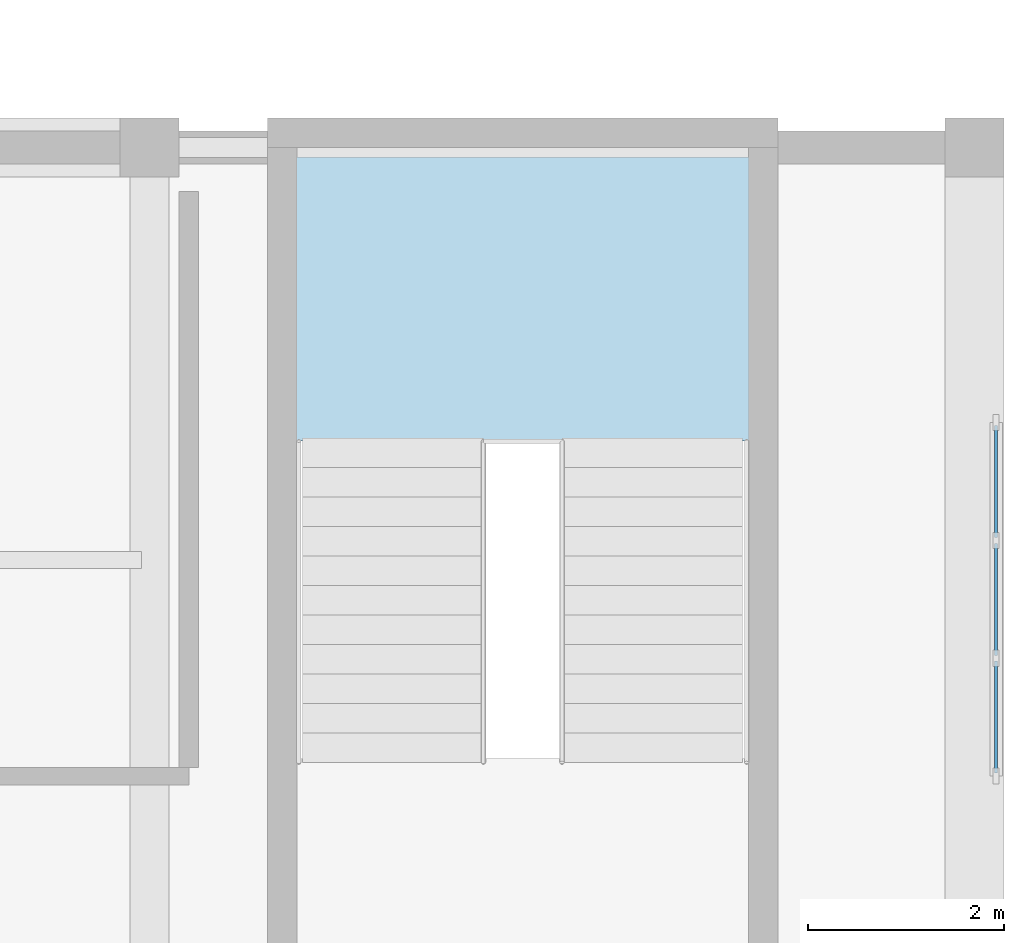
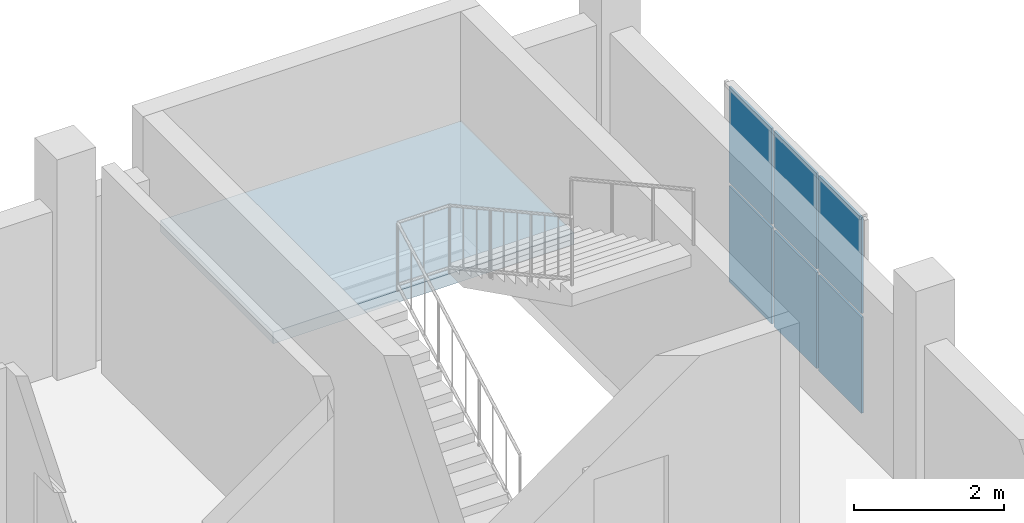
# One storey, part 10 of 24: 6 plates, 1 slab, 2 elements without a shape of their own.
"""IFC4 building model written with IfcOpenShell, lengths in metres."""

from ifc_helpers import new_model, si_unit, derived_unit, direction, frame, origin, origin_2d, place, context, subcontext, project, spatial, polyline, rectangle, outline, extrude, material, layer, layer_set, type_object, element, aggregate, save


model = new_model("IFC4")

# Units and contexts
model_context = context("Model", 3, precision=1e-05, world=origin(), true_north=direction((0.0, 1.0)))
body_context = subcontext(model_context, "Body", "Model", "MODEL_VIEW")
ifc_project = project(units=[si_unit("LENGTHUNIT", "METRE"), si_unit("AREAUNIT", "SQUARE_METRE"), si_unit("VOLUMEUNIT", "CUBIC_METRE"), si_unit("PLANEANGLEUNIT", "RADIAN"), si_unit("MASSUNIT", "GRAM", prefix="KILO"), derived_unit("THERMALTRANSMITTANCEUNIT", [(si_unit("POWERUNIT", "WATT"), 1), (si_unit("LENGTHUNIT", "METRE"), -2), (si_unit("THERMODYNAMICTEMPERATUREUNIT", "KELVIN"), -1)])], contexts=[model_context])

# Site, building, storey
site_placement = place(None, origin())
site = spatial("IfcSite", under=ifc_project, at=site_placement, CompositionType="ELEMENT")
building_placement = place(site_placement, origin())
building = spatial("IfcBuilding", under=site, at=building_placement, Name="Barrovel Congress Hotel", CompositionType="ELEMENT")
storey_placement = place(building_placement, frame((0.0, 0.0, 29.10009765625)))
storey = spatial("IfcBuildingStorey", under=building, at=storey_placement, Name="L07", CompositionType="ELEMENT", Elevation=29.10009765625)

# Curtain wall, plates
ifc_material_1 = material(Name="Anodised Aluminium Alloy 6063-T6", Category="aluminium")
curtain_wall_type = type_object("IfcCurtainWallType", Name="CW-UN-3600x3200", PredefinedType="USERDEFINED", material=ifc_material_1)
curtain_wall_placement = place(storey_placement, origin())
curtain_wall = element("IfcCurtainWall", 1, at=curtain_wall_placement, inside=storey, type_object=curtain_wall_type, Name="CW:L07:UN-1", ObjectType="UNITISED CURTAIN WALL", PredefinedType="USERDEFINED")
ifc_material_2 = material(Name="Double Low-E Insulated Glazing", Category="glass")
ifc_layer_1 = layer(ifc_material_2, 0.031982421875)
ifc_layer_set_1 = layer_set([ifc_layer_1], Name="Double Low-E Insulated Glazing")
plate_type = type_object("IfcPlateType", Name="CWP-32", PredefinedType="CURTAIN_PANEL", material=ifc_layer_set_1)
plate_1_placement = place(storey_placement, frame((151.419921875, 15.199951171875, 0.030029296875), z_axis=(0.0, 0.0, 1.0), x_axis=(0.0, 1.0, 0.0)))
plate_1 = element("IfcPlate", 2, at=plate_1_placement, type_object=plate_type, Name="CW:L07:UN-1:P0-0", PredefinedType="CURTAIN_PANEL", context=body_context, shape_type="SweptSolid", body=[
    extrude(rectangle(XDim=1.139892578125, YDim=0.031982421875, at=origin_2d()), origin(), (0.0, 0.0, 1.0), 1.56494140625),
])
plate_2_placement = place(storey_placement, frame((151.419921875, 15.199951171875, 1.655029296875), z_axis=(0.0, 0.0, 1.0), x_axis=(0.0, 1.0, 0.0)))
plate_2 = element("IfcPlate", 3, at=plate_2_placement, type_object=plate_type, Name="CW:L07:UN-1:P0-1", PredefinedType="CURTAIN_PANEL", context=body_context, shape_type="SweptSolid", body=[
    extrude(rectangle(XDim=1.139892578125, YDim=0.031982421875, at=origin_2d()), origin(), (0.0, 0.0, 1.0), 1.56494140625),
])
plate_3_placement = place(storey_placement, frame((151.419921875, 16.39990234375, 0.030029296875), z_axis=(0.0, 0.0, 1.0), x_axis=(0.0, 1.0, 0.0)))
plate_3 = element("IfcPlate", 4, at=plate_3_placement, type_object=plate_type, Name="CW:L07:UN-1:P1-0", PredefinedType="CURTAIN_PANEL", context=body_context, shape_type="SweptSolid", body=[
    extrude(rectangle(XDim=1.139892578125, YDim=0.031982421875, at=origin_2d()), origin(), (0.0, 0.0, 1.0), 1.56494140625),
])
plate_4_placement = place(storey_placement, frame((151.419921875, 16.39990234375, 1.655029296875), z_axis=(0.0, 0.0, 1.0), x_axis=(0.0, 1.0, 0.0)))
plate_4 = element("IfcPlate", 5, at=plate_4_placement, type_object=plate_type, Name="CW:L07:UN-1:P1-1", PredefinedType="CURTAIN_PANEL", context=body_context, shape_type="SweptSolid", body=[
    extrude(rectangle(XDim=1.139892578125, YDim=0.031982421875, at=origin_2d()), origin(), (0.0, 0.0, 1.0), 1.56494140625),
])
plate_5_placement = place(storey_placement, frame((151.419921875, 17.60009765625, 0.030029296875), z_axis=(0.0, 0.0, 1.0), x_axis=(0.0, 1.0, 0.0)))
plate_5 = element("IfcPlate", 6, at=plate_5_placement, type_object=plate_type, Name="CW:L07:UN-1:P2-0", PredefinedType="CURTAIN_PANEL", context=body_context, shape_type="SweptSolid", body=[
    extrude(rectangle(XDim=1.139892578125, YDim=0.031982421875, at=origin_2d()), origin(), (0.0, 0.0, 1.0), 1.56494140625),
])
plate_6_placement = place(storey_placement, frame((151.419921875, 17.60009765625, 1.655029296875), z_axis=(0.0, 0.0, 1.0), x_axis=(0.0, 1.0, 0.0)))
plate_6 = element("IfcPlate", 7, at=plate_6_placement, type_object=plate_type, Name="CW:L07:UN-1:P2-1", PredefinedType="CURTAIN_PANEL", context=body_context, shape_type="SweptSolid", body=[
    extrude(rectangle(XDim=1.139892578125, YDim=0.031982421875, at=origin_2d()), origin(), (0.0, 0.0, 1.0), 1.56494140625),
])
aggregate(curtain_wall, [plate_1, plate_2, plate_3, plate_4, plate_5, plate_6])

# Stair, slab
ifc_material_3 = material(Name="Concrete C40", Category="concrete")
stair_type = type_object("IfcStairType", Name="STR-HT-360", PredefinedType="HALF_TURN_STAIR", material=ifc_material_3)
stair_placement = place(storey_placement, origin())
stair = element("IfcStair", 8, at=stair_placement, inside=storey, type_object=stair_type, Name="Exit Stair XS-04 (L07)", PredefinedType="HALF_TURN_STAIR")
ifc_layer_2 = layer(ifc_material_3, 0.18994140625)
ifc_layer_set_2 = layer_set([ifc_layer_2], Name="Concrete C40")
slab_type = type_object("IfcSlabType", Name="SL-LDG-190", PredefinedType="LANDING", material=ifc_layer_set_2)
slab_placement = place(storey_placement, frame((0.0, 0.0, 1.60986328125)))
slab = element("IfcSlab", 9, at=slab_placement, type_object=slab_type, Name="STAIR:XS-04:L07:LDG", PredefinedType="LANDING", context=body_context, shape_type="SweptSolid", body=[
    extrude(outline(polyline([(144.280029296875, 18.010009765625), (148.919921875, 18.010009765625), (148.919921875, 21.02001953125), (144.280029296875, 21.02001953125), (144.280029296875, 18.010009765625)])), origin(), (0.0, 0.0, 1.0), 0.18994140625),
])
aggregate(stair, [slab])

save(model, "model.ifc")
